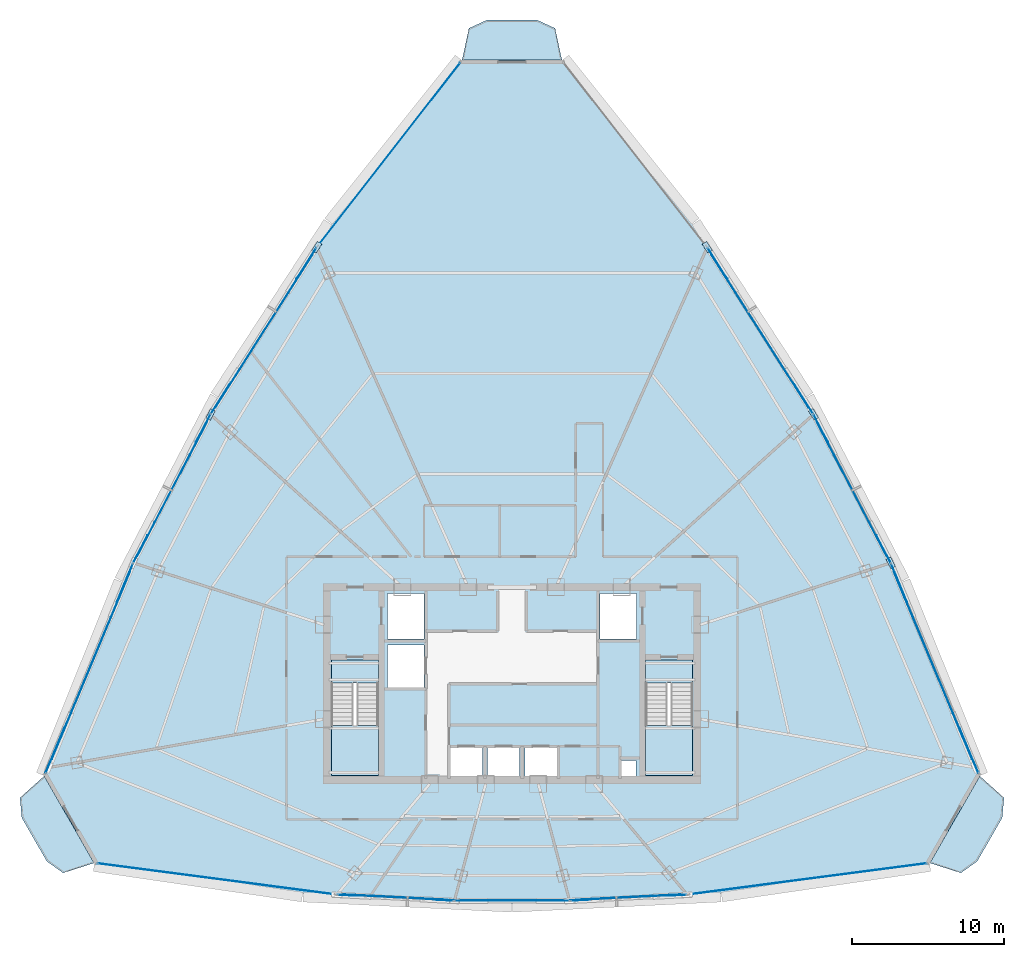
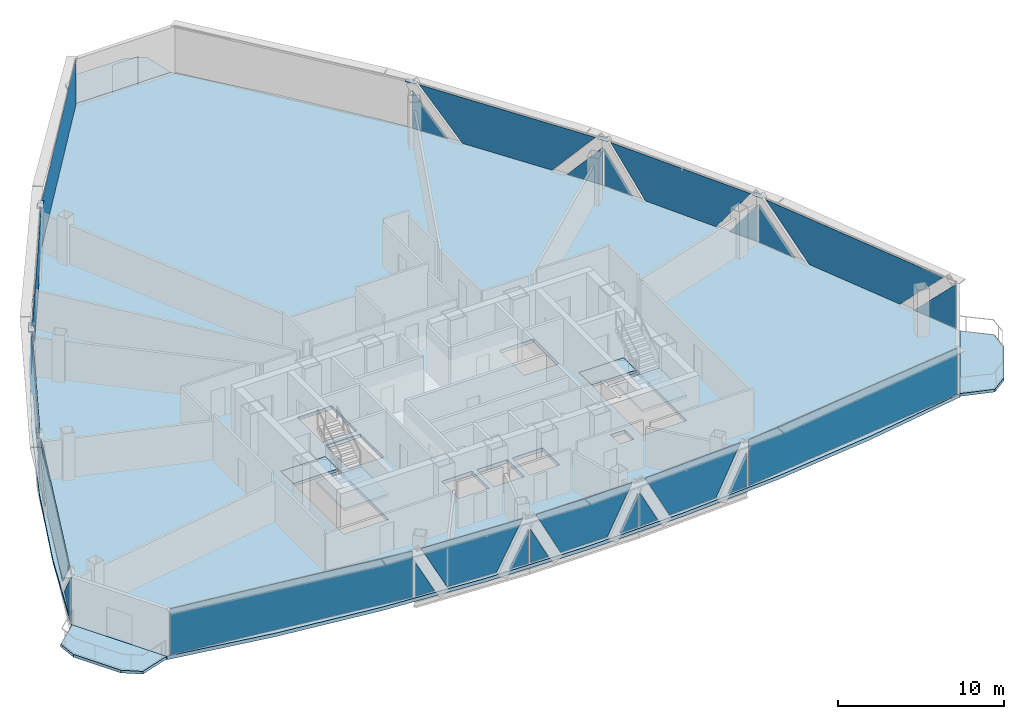
# One storey, part 28 of 35: 35 plates, 8 slabs, 14 elements without a shape of their own.
"""IFC4 building model written with IfcOpenShell, lengths in metres."""

from ifc_helpers import new_model, si_unit, direction, frame, origin, origin_2d, place, context, subcontext, project, spatial, polyline, rectangle, outline, extrude, source, transform, mapped, material, layer, layer_set, type_object, element, aggregate, save


model = new_model("IFC4")

# Units and contexts
model_context = context("Model", 3, precision=1e-05, world=origin(), true_north=direction((0.0, 1.0)))
body_context = subcontext(model_context, "Body", "Model", "MODEL_VIEW")
ifc_project = project(units=[si_unit("LENGTHUNIT", "METRE"), si_unit("AREAUNIT", "SQUARE_METRE"), si_unit("VOLUMEUNIT", "CUBIC_METRE"), si_unit("PLANEANGLEUNIT", "RADIAN"), si_unit("MASSUNIT", "GRAM", prefix="KILO"), si_unit("THERMODYNAMICTEMPERATUREUNIT", "KELVIN"), si_unit("POWERUNIT", "WATT")], contexts=[model_context])

# Site, building, storey
site_placement = place(None, origin())
site = spatial("IfcSite", under=ifc_project, at=site_placement, CompositionType="ELEMENT")
building_placement = place(site_placement, origin())
building = spatial("IfcBuilding", under=site, at=building_placement, Name="Yunzhuo Pagoda Commons", CompositionType="ELEMENT")
storey_placement = place(building_placement, frame((0.0, 0.0, 299.93994140625)))
storey = spatial("IfcBuildingStorey", under=building, at=storey_placement, Name="L75", CompositionType="ELEMENT", Elevation=299.93994140625)

# Curtain wall, plates
ifc_material_1 = material(Name="Anodized aluminium 6063-T6", Category="aluminium")
ifc_layer_1 = layer(ifc_material_1, 0.139892578125)
ifc_layer_set_1 = layer_set([ifc_layer_1], Name="Anodized aluminium 6063-T6")
curtain_wall_type = type_object("IfcCurtainWallType", Name="CW-HI High-Zone Ribbon Curtain Wall", PredefinedType="NOTDEFINED", material=ifc_layer_set_1)
curtain_wall_1_placement = place(storey_placement, origin())
curtain_wall_1 = element("IfcCurtainWall", 1, at=curtain_wall_1_placement, inside=storey, type_object=curtain_wall_type, Name="L75 curtain wall CW-L75-F1B2", PredefinedType="NOTDEFINED")
ifc_material_2 = material(Name="Tempered low-e double glazing", Category="glass")
ifc_layer_2 = layer(ifc_material_2, 0.02587890625)
ifc_layer_set_2 = layer_set([ifc_layer_2], Name="Tempered low-e double glazing")
plate_type_1 = type_object("IfcPlateType", Name="CW-HI-P Low-E Double Glazing 26", PredefinedType="CURTAIN_PANEL", material=ifc_layer_set_2)
plate_1_placement = place(storey_placement, frame((37.162109375, 19.923095703125, 1.29296875), z_axis=(-0.051461616076, -0.998674973187, 0.0), x_axis=(0.998674973187, -0.051461616076, 0.0)))
plate_1 = element("IfcPlate", 2, at=plate_1_placement, type_object=plate_type_1, Name="CW panel 1.1 lite 1", PredefinedType="CURTAIN_PANEL", context=body_context, shape_type="SweptSolid", body=[
    extrude(outline(polyline([(-0.643798828125, -1.238037109375), (0.643798828125, -1.238037109375), (-0.643798828125, 1.238037109375), (-0.643798828125, -1.238037109375)])), origin(), (0.0, 0.0, 1.0), 0.028076171875),
])
plate_2_placement = place(storey_placement, frame((40.335205078125, 19.78955078125, 1.735107421875), z_axis=(-0.051461616076, -0.998674973187, 0.0), x_axis=(0.998674973187, -0.051461616076, 0.0)))
plate_2 = element("IfcPlate", 3, at=plate_2_placement, type_object=plate_type_1, Name="CW panel 1.1 lite 2", PredefinedType="CURTAIN_PANEL", context=body_context, shape_type="SweptSolid", body=[
    extrude(outline(polyline([(-3.422607421875, 1.679931640625), (-1.67529296875, -1.679931640625), (1.67529296875, -1.679931640625), (3.422607421875, 1.679931640625), (-3.422607421875, 1.679931640625)])), origin(), (0.0, 0.0, 1.0), 0.028076171875),
])
plate_3_placement = place(storey_placement, frame((43.505126953125, 19.59619140625, 1.29296875), z_axis=(-0.051461616076, -0.998674973187, 0.0), x_axis=(0.998674973187, -0.051461616076, 0.0)))
plate_3 = element("IfcPlate", 4, at=plate_3_placement, type_object=plate_type_1, Name="CW panel 1.1 lite 3", PredefinedType="CURTAIN_PANEL", context=body_context, shape_type="SweptSolid", body=[
    extrude(outline(polyline([(-0.643798828125, -1.238037109375), (0.643798828125, -1.238037109375), (0.643798828125, 1.238037109375), (-0.643798828125, -1.238037109375)])), origin(), (0.0, 0.0, 1.0), 0.028076171875),
])
aggregate(curtain_wall_1, [plate_1, plate_2, plate_3])

curtain_wall_2_placement = place(storey_placement, origin())
curtain_wall_2 = element("IfcCurtainWall", 5, at=curtain_wall_2_placement, inside=storey, type_object=curtain_wall_type, Name="L75 curtain wall CW-L75-F1B3", PredefinedType="NOTDEFINED")
plate_4_placement = place(storey_placement, frame((44.892333984375, 19.56005859375, 1.2841796875), z_axis=(0.0, -1.0, 0.0), x_axis=(1.0, 0.0, 0.0)))
plate_4 = element("IfcPlate", 6, at=plate_4_placement, type_object=plate_type_1, Name="CW panel 1.1 lite 1", PredefinedType="CURTAIN_PANEL", context=body_context, shape_type="SweptSolid", body=[
    extrude(outline(polyline([(-0.625, -1.229248046875), (0.625, -1.229248046875), (-0.625, 1.229248046875), (-0.625, -1.229248046875)])), origin(), (0.0, 0.0, 1.0), 0.028076171875),
])
plate_5_placement = place(storey_placement, frame((48.0, 19.58984375, 1.735107421875), z_axis=(0.0, -1.0, 0.0), x_axis=(1.0, 0.0, 0.0)))
plate_5 = element("IfcPlate", 7, at=plate_5_placement, type_object=plate_type_1, Name="CW panel 1.1 lite 2", PredefinedType="CURTAIN_PANEL", context=body_context, shape_type="SweptSolid", body=[
    extrude(outline(polyline([(-3.33837890625, 1.679931640625), (-1.630126953125, -1.679931640625), (1.630126953125, -1.679931640625), (3.33837890625, 1.679931640625), (-3.33837890625, 1.679931640625)])), origin(), (0.0, 0.0, 1.0), 0.028076171875),
])
plate_6_placement = place(storey_placement, frame((51.107666015625, 19.56005859375, 1.2841796875), z_axis=(0.0, -1.0, 0.0), x_axis=(1.0, 0.0, 0.0)))
plate_6 = element("IfcPlate", 8, at=plate_6_placement, type_object=plate_type_1, Name="CW panel 1.1 lite 3", PredefinedType="CURTAIN_PANEL", context=body_context, shape_type="SweptSolid", body=[
    extrude(outline(polyline([(-0.625, -1.229248046875), (0.625, -1.229248046875), (0.625, 1.229248046875), (-0.625, -1.229248046875)])), origin(), (0.0, 0.0, 1.0), 0.028076171875),
])
aggregate(curtain_wall_2, [plate_4, plate_5, plate_6])

curtain_wall_3_placement = place(storey_placement, origin())
curtain_wall_3 = element("IfcCurtainWall", 9, at=curtain_wall_3_placement, inside=storey, type_object=curtain_wall_type, Name="L75 curtain wall CW-L75-F1B4", PredefinedType="NOTDEFINED")
plate_7_placement = place(storey_placement, frame((52.494873046875, 19.59619140625, 1.29296875), z_axis=(0.051461616076, -0.998674973187, 0.0), x_axis=(0.998674973187, 0.051461616076, 0.0)))
plate_7 = element("IfcPlate", 10, at=plate_7_placement, type_object=plate_type_1, Name="CW panel 1.1 lite 1", PredefinedType="CURTAIN_PANEL", context=body_context, shape_type="SweptSolid", body=[
    extrude(outline(polyline([(-0.643798828125, -1.238037109375), (0.643798828125, -1.238037109375), (-0.643798828125, 1.238037109375), (-0.643798828125, -1.238037109375)])), origin(), (0.0, 0.0, 1.0), 0.028076171875),
])
plate_8_placement = place(storey_placement, frame((55.664794921875, 19.78955078125, 1.735107421875), z_axis=(0.051461616076, -0.998674973187, 0.0), x_axis=(0.998674973187, 0.051461616076, 0.0)))
plate_8 = element("IfcPlate", 11, at=plate_8_placement, type_object=plate_type_1, Name="CW panel 1.1 lite 2", PredefinedType="CURTAIN_PANEL", context=body_context, shape_type="SweptSolid", body=[
    extrude(outline(polyline([(-3.422607421875, 1.679931640625), (-1.67529296875, -1.679931640625), (1.67529296875, -1.679931640625), (3.422607421875, 1.679931640625), (-3.422607421875, 1.679931640625)])), origin(), (0.0, 0.0, 1.0), 0.028076171875),
])
plate_9_placement = place(storey_placement, frame((58.837890625, 19.923095703125, 1.29296875), z_axis=(0.051461616076, -0.998674973187, 0.0), x_axis=(0.998674973187, 0.051461616076, 0.0)))
plate_9 = element("IfcPlate", 12, at=plate_9_placement, type_object=plate_type_1, Name="CW panel 1.1 lite 3", PredefinedType="CURTAIN_PANEL", context=body_context, shape_type="SweptSolid", body=[
    extrude(outline(polyline([(-0.643798828125, -1.238037109375), (0.643798828125, -1.238037109375), (0.643798828125, 1.238037109375), (-0.643798828125, -1.238037109375)])), origin(), (0.0, 0.0, 1.0), 0.028076171875),
])
aggregate(curtain_wall_3, [plate_7, plate_8, plate_9])

curtain_wall_4_placement = place(storey_placement, origin())
curtain_wall_4 = element("IfcCurtainWall", 13, at=curtain_wall_4_placement, inside=storey, type_object=curtain_wall_type, Name="L75 curtain wall CW-L75-F2B2", PredefinedType="NOTDEFINED")
plate_10_placement = place(storey_placement, frame((78.09375, 29.443603515625, 1.700439453125), z_axis=(0.922876210298, 0.385096741697, 0.0), x_axis=(-0.385096741697, 0.922876210298, 0.0)))
plate_10 = element("IfcPlate", 14, at=plate_10_placement, type_object=plate_type_1, Name="CW panel 1.1 lite 1", PredefinedType="CURTAIN_PANEL", context=body_context, shape_type="SweptSolid", body=[
    extrude(outline(polyline([(-1.60888671875, -1.645263671875), (1.60888671875, -1.645263671875), (-1.60888671875, 1.645263671875), (-1.60888671875, -1.645263671875)])), origin(), (0.0, 0.0, 1.0), 0.028076171875),
])
plate_11_placement = place(storey_placement, frame((75.718505859375, 35.0576171875, 1.735107421875), z_axis=(0.922876210298, 0.385096741697, 0.0), x_axis=(-0.385096741697, 0.922876210298, 0.0)))
plate_11 = element("IfcPlate", 15, at=plate_11_placement, type_object=plate_type_1, Name="CW panel 1.1 lite 2", PredefinedType="CURTAIN_PANEL", context=body_context, shape_type="SweptSolid", body=[
    extrude(outline(polyline([(-6.70947265625, 1.679931640625), (-3.423828125, -1.679931640625), (3.423828125, -1.679931640625), (6.70947265625, 1.679931640625), (-6.70947265625, 1.679931640625)])), origin(), (0.0, 0.0, 1.0), 0.028076171875),
])
plate_12_placement = place(storey_placement, frame((73.4892578125, 40.47802734375, 1.4599609375), z_axis=(0.922876210298, 0.385096741697, 0.0), x_axis=(-0.385096741697, 0.922876210298, 0.0)))
plate_12 = element("IfcPlate", 16, at=plate_12_placement, type_object=plate_type_1, Name="CW panel 1.1 lite 3", PredefinedType="CURTAIN_PANEL", context=body_context, shape_type="SweptSolid", body=[
    extrude(outline(polyline([(-1.373779296875, -1.405029296875), (1.373779296875, -1.405029296875), (1.373779296875, 1.405029296875), (-1.373779296875, -1.405029296875)])), origin(), (0.0, 0.0, 1.0), 0.028076171875),
])
aggregate(curtain_wall_4, [plate_10, plate_11, plate_12])

curtain_wall_5_placement = place(storey_placement, origin())
curtain_wall_5 = element("IfcCurtainWall", 17, at=curtain_wall_5_placement, inside=storey, type_object=curtain_wall_type, Name="L75 curtain wall CW-L75-F2B3", PredefinedType="NOTDEFINED")
plate_13_placement = place(storey_placement, frame((72.450439453125, 42.736328125, 1.40234375), z_axis=(0.887137465673, 0.461505272992, 0.0), x_axis=(-0.461505272992, 0.887137465673, 0.0)))
plate_13 = element("IfcPlate", 18, at=plate_13_placement, type_object=plate_type_1, Name="CW panel 1.1 lite 1", PredefinedType="CURTAIN_PANEL", context=body_context, shape_type="SweptSolid", body=[
    extrude(outline(polyline([(-0.9951171875, -1.34716796875), (0.9951171875, -1.34716796875), (-0.9951171875, 1.34716796875), (-0.9951171875, -1.34716796875)])), origin(), (0.0, 0.0, 1.0), 0.028076171875),
])
plate_14_placement = place(storey_placement, frame((70.367431640625, 46.67529296875, 1.735107421875), z_axis=(0.887137465673, 0.461505272992, 0.0), x_axis=(-0.461505272992, 0.887137465673, 0.0)))
plate_14 = element("IfcPlate", 19, at=plate_14_placement, type_object=plate_type_1, Name="CW panel 1.1 lite 2", PredefinedType="CURTAIN_PANEL", context=body_context, shape_type="SweptSolid", body=[
    extrude(outline(polyline([(-4.998046875, 1.679931640625), (-2.515869140625, -1.679931640625), (2.515869140625, -1.679931640625), (4.998046875, 1.679931640625), (-4.998046875, 1.679931640625)])), origin(), (0.0, 0.0, 1.0), 0.028076171875),
])
plate_15_placement = place(storey_placement, frame((68.337646484375, 50.64208984375, 1.40234375), z_axis=(0.887137465673, 0.461505272992, 0.0), x_axis=(-0.461505272992, 0.887137465673, 0.0)))
plate_15 = element("IfcPlate", 20, at=plate_15_placement, type_object=plate_type_1, Name="CW panel 1.1 lite 3", PredefinedType="CURTAIN_PANEL", context=body_context, shape_type="SweptSolid", body=[
    extrude(outline(polyline([(-0.9951171875, -1.34716796875), (0.9951171875, -1.34716796875), (0.9951171875, 1.34716796875), (-0.9951171875, -1.34716796875)])), origin(), (0.0, 0.0, 1.0), 0.028076171875),
])
aggregate(curtain_wall_5, [plate_13, plate_14, plate_15])

curtain_wall_6_placement = place(storey_placement, origin())
curtain_wall_6 = element("IfcCurtainWall", 21, at=curtain_wall_6_placement, inside=storey, type_object=curtain_wall_type, Name="L75 curtain wall CW-L75-F2B4", PredefinedType="NOTDEFINED")
plate_16_placement = place(storey_placement, frame((67.169677734375, 52.649658203125, 1.439453125), z_axis=(0.843909804597, 0.536485080599, 0.0), x_axis=(-0.536485080599, 0.843909804597, 0.0)))
plate_16 = element("IfcPlate", 22, at=plate_16_placement, type_object=plate_type_1, Name="CW panel 1.1 lite 1", PredefinedType="CURTAIN_PANEL", context=body_context, shape_type="SweptSolid", body=[
    extrude(outline(polyline([(-1.21044921875, -1.384521484375), (1.210693359375, -1.384521484375), (-1.21044921875, 1.384521484375), (-1.21044921875, -1.384521484375)])), origin(), (0.0, 0.0, 1.0), 0.028076171875),
])
plate_17_placement = place(storey_placement, frame((64.326416015625, 57.06591796875, 1.735107421875), z_axis=(0.843909804597, 0.536485080599, 0.0), x_axis=(-0.536485080599, 0.843909804597, 0.0)))
plate_17 = element("IfcPlate", 23, at=plate_17_placement, type_object=plate_type_1, Name="CW panel 1.1 lite 2", PredefinedType="CURTAIN_PANEL", context=body_context, shape_type="SweptSolid", body=[
    extrude(outline(polyline([(-5.969970703125, 1.679931640625), (-3.031982421875, -1.679931640625), (3.031982421875, -1.679931640625), (5.969970703125, 1.679931640625), (-5.969970703125, 1.679931640625)])), origin(), (0.0, 0.0, 1.0), 0.028076171875),
])
plate_18_placement = place(storey_placement, frame((61.5341796875, 61.51416015625, 1.439453125), z_axis=(0.843909804597, 0.536485080599, 0.0), x_axis=(-0.536485080599, 0.843909804597, 0.0)))
plate_18 = element("IfcPlate", 24, at=plate_18_placement, type_object=plate_type_1, Name="CW panel 1.1 lite 3", PredefinedType="CURTAIN_PANEL", context=body_context, shape_type="SweptSolid", body=[
    extrude(outline(polyline([(-1.210693359375, -1.384521484375), (1.21044921875, -1.384521484375), (1.21044921875, 1.384521484375), (-1.210693359375, -1.384521484375)])), origin(), (0.0, 0.0, 1.0), 0.028076171875),
])
aggregate(curtain_wall_6, [plate_16, plate_17, plate_18])

curtain_wall_7_placement = place(storey_placement, origin())
curtain_wall_7 = element("IfcCurtainWall", 25, at=curtain_wall_7_placement, inside=storey, type_object=curtain_wall_type, Name="L75 curtain wall CW-L75-F3B2", PredefinedType="NOTDEFINED")
plate_19_placement = place(storey_placement, frame((34.4658203125, 61.51416015625, 1.439453125), z_axis=(-0.843909804597, 0.536485080599, 0.0), x_axis=(-0.536485080599, -0.843909804597, 0.0)))
plate_19 = element("IfcPlate", 26, at=plate_19_placement, type_object=plate_type_1, Name="CW panel 1.1 lite 1", PredefinedType="CURTAIN_PANEL", context=body_context, shape_type="SweptSolid", body=[
    extrude(outline(polyline([(-1.21044921875, -1.384521484375), (1.210693359375, -1.384521484375), (-1.21044921875, 1.384521484375), (-1.21044921875, -1.384521484375)])), origin(), (0.0, 0.0, 1.0), 0.028076171875),
])
plate_20_placement = place(storey_placement, frame((31.673583984375, 57.06591796875, 1.735107421875), z_axis=(-0.843909804597, 0.536485080599, 0.0), x_axis=(-0.536485080599, -0.843909804597, 0.0)))
plate_20 = element("IfcPlate", 27, at=plate_20_placement, type_object=plate_type_1, Name="CW panel 1.1 lite 2", PredefinedType="CURTAIN_PANEL", context=body_context, shape_type="SweptSolid", body=[
    extrude(outline(polyline([(-5.969970703125, 1.679931640625), (-3.031982421875, -1.679931640625), (3.031982421875, -1.679931640625), (5.969970703125, 1.679931640625), (-5.969970703125, 1.679931640625)])), origin(), (0.0, 0.0, 1.0), 0.028076171875),
])
plate_21_placement = place(storey_placement, frame((28.830322265625, 52.649658203125, 1.439453125), z_axis=(-0.843909804597, 0.536485080599, 0.0), x_axis=(-0.536485080599, -0.843909804597, 0.0)))
plate_21 = element("IfcPlate", 28, at=plate_21_placement, type_object=plate_type_1, Name="CW panel 1.1 lite 3", PredefinedType="CURTAIN_PANEL", context=body_context, shape_type="SweptSolid", body=[
    extrude(outline(polyline([(-1.210693359375, -1.384521484375), (1.21044921875, -1.384521484375), (1.21044921875, 1.384521484375), (-1.210693359375, -1.384521484375)])), origin(), (0.0, 0.0, 1.0), 0.028076171875),
])
aggregate(curtain_wall_7, [plate_19, plate_20, plate_21])

curtain_wall_8_placement = place(storey_placement, origin())
curtain_wall_8 = element("IfcCurtainWall", 29, at=curtain_wall_8_placement, inside=storey, type_object=curtain_wall_type, Name="L75 curtain wall CW-L75-F3B3", PredefinedType="NOTDEFINED")
plate_22_placement = place(storey_placement, frame((27.662353515625, 50.64208984375, 1.40234375), z_axis=(-0.887137465673, 0.461505272992, 0.0), x_axis=(-0.461505272992, -0.887137465673, 0.0)))
plate_22 = element("IfcPlate", 30, at=plate_22_placement, type_object=plate_type_1, Name="CW panel 1.1 lite 1", PredefinedType="CURTAIN_PANEL", context=body_context, shape_type="SweptSolid", body=[
    extrude(outline(polyline([(-0.9951171875, -1.34716796875), (0.9951171875, -1.34716796875), (-0.9951171875, 1.34716796875), (-0.9951171875, -1.34716796875)])), origin(), (0.0, 0.0, 1.0), 0.028076171875),
])
plate_23_placement = place(storey_placement, frame((25.632568359375, 46.67529296875, 1.735107421875), z_axis=(-0.887137465673, 0.461505272992, 0.0), x_axis=(-0.461505272992, -0.887137465673, 0.0)))
plate_23 = element("IfcPlate", 31, at=plate_23_placement, type_object=plate_type_1, Name="CW panel 1.1 lite 2", PredefinedType="CURTAIN_PANEL", context=body_context, shape_type="SweptSolid", body=[
    extrude(outline(polyline([(-4.998046875, 1.679931640625), (-2.515869140625, -1.679931640625), (2.515869140625, -1.679931640625), (4.998046875, 1.679931640625), (-4.998046875, 1.679931640625)])), origin(), (0.0, 0.0, 1.0), 0.028076171875),
])
plate_24_placement = place(storey_placement, frame((23.549560546875, 42.736328125, 1.40234375), z_axis=(-0.887137465673, 0.461505272992, 0.0), x_axis=(-0.461505272992, -0.887137465673, 0.0)))
plate_24 = element("IfcPlate", 32, at=plate_24_placement, type_object=plate_type_1, Name="CW panel 1.1 lite 3", PredefinedType="CURTAIN_PANEL", context=body_context, shape_type="SweptSolid", body=[
    extrude(outline(polyline([(-0.9951171875, -1.34716796875), (0.9951171875, -1.34716796875), (0.9951171875, 1.34716796875), (-0.9951171875, -1.34716796875)])), origin(), (0.0, 0.0, 1.0), 0.028076171875),
])
aggregate(curtain_wall_8, [plate_22, plate_23, plate_24])

curtain_wall_9_placement = place(storey_placement, origin())
curtain_wall_9 = element("IfcCurtainWall", 33, at=curtain_wall_9_placement, inside=storey, type_object=curtain_wall_type, Name="L75 curtain wall CW-L75-F3B4", PredefinedType="NOTDEFINED")
plate_25_placement = place(storey_placement, frame((22.5107421875, 40.47802734375, 1.4599609375), z_axis=(-0.922876210298, 0.385096741697, 0.0), x_axis=(-0.385096741697, -0.922876210298, 0.0)))
plate_25 = element("IfcPlate", 34, at=plate_25_placement, type_object=plate_type_1, Name="CW panel 1.1 lite 1", PredefinedType="CURTAIN_PANEL", context=body_context, shape_type="SweptSolid", body=[
    extrude(outline(polyline([(-1.373779296875, -1.405029296875), (1.373779296875, -1.405029296875), (-1.373779296875, 1.405029296875), (-1.373779296875, -1.405029296875)])), origin(), (0.0, 0.0, 1.0), 0.028076171875),
])
plate_26_placement = place(storey_placement, frame((20.281494140625, 35.0576171875, 1.735107421875), z_axis=(-0.922876210298, 0.385096741697, 0.0), x_axis=(-0.385096741697, -0.922876210298, 0.0)))
plate_26 = element("IfcPlate", 35, at=plate_26_placement, type_object=plate_type_1, Name="CW panel 1.1 lite 2", PredefinedType="CURTAIN_PANEL", context=body_context, shape_type="SweptSolid", body=[
    extrude(outline(polyline([(-6.70947265625, 1.679931640625), (-3.423828125, -1.679931640625), (3.423828125, -1.679931640625), (6.70947265625, 1.679931640625), (-6.70947265625, 1.679931640625)])), origin(), (0.0, 0.0, 1.0), 0.028076171875),
])
plate_27_placement = place(storey_placement, frame((17.90625, 29.443603515625, 1.700439453125), z_axis=(-0.922876210298, 0.385096741697, 0.0), x_axis=(-0.385096741697, -0.922876210298, 0.0)))
plate_27 = element("IfcPlate", 36, at=plate_27_placement, type_object=plate_type_1, Name="CW panel 1.1 lite 3", PredefinedType="CURTAIN_PANEL", context=body_context, shape_type="SweptSolid", body=[
    extrude(outline(polyline([(-1.60888671875, -1.645263671875), (1.60888671875, -1.645263671875), (1.60888671875, 1.645263671875), (-1.60888671875, -1.645263671875)])), origin(), (0.0, 0.0, 1.0), 0.028076171875),
])
aggregate(curtain_wall_9, [plate_25, plate_26, plate_27])

# Slabs
ifc_material_3 = material(Name="Concrete C40", Category="concrete")
ifc_layer_3 = layer(ifc_material_3, 0.199951171875)
ifc_layer_set_3 = layer_set([ifc_layer_3], Name="Concrete C40")
slab_type_1 = type_object("IfcSlabType", Name="SL-BAL Vertex Balcony Deck Slab 200", PredefinedType="FLOOR", material=ifc_layer_set_3)
slab_1_placement = place(storey_placement, frame((0.0, 0.0, -0.199951171875)))
element("IfcSlab", 37, at=slab_1_placement, inside=storey, type_object=slab_type_1, Name="L75 corner balcony V1", PredefinedType="FLOOR", context=body_context, shape_type="SweptSolid", body=[
    extrude(outline(polyline([(17.180908203125, 27.75927734375), (20.468994140625, 22.032958984375), (18.427978515625, 21.380126953125), (17.35302734375, 22.1474609375), (15.709228515625, 25.010498046875), (15.588134765625, 26.32568359375), (17.180908203125, 27.75927734375)])), origin(), (0.0, 0.0, 1.0), 0.199951171875),
])
slab_2_placement = place(storey_placement, frame((0.0, 0.0, -0.199951171875)))
element("IfcSlab", 38, at=slab_2_placement, inside=storey, type_object=slab_type_1, Name="L75 corner balcony V2", PredefinedType="FLOOR", context=body_context, shape_type="SweptSolid", body=[
    extrude(outline(polyline([(75.531005859375, 22.032958984375), (78.819091796875, 27.75927734375), (80.411865234375, 26.32568359375), (80.290771484375, 25.010498046875), (78.64697265625, 22.1474609375), (77.572021484375, 21.380126953125), (75.531005859375, 22.032958984375)])), origin(), (0.0, 0.0, 1.0), 0.199951171875),
])
slab_3_placement = place(storey_placement, frame((0.0, 0.0, -0.199951171875)))
element("IfcSlab", 39, at=slab_3_placement, inside=storey, type_object=slab_type_1, Name="L75 corner balcony V3", PredefinedType="FLOOR", context=body_context, shape_type="SweptSolid", body=[
    extrude(outline(polyline([(51.287841796875, 74.923095703125), (44.712158203125, 74.923095703125), (45.162109375, 77.01806640625), (46.356201171875, 77.568115234375), (49.643798828125, 77.568115234375), (50.837890625, 77.01806640625), (51.287841796875, 74.923095703125)])), origin(), (0.0, 0.0, 1.0), 0.199951171875),
])

# Stair, slabs
stair_type_1 = type_object("IfcStairType", Name="ST-C1 Core Smokeproof Stair ST1", PredefinedType="HALF_TURN_STAIR", material=ifc_material_3)
stair_1_placement = place(storey_placement, origin())
stair_1 = element("IfcStair", 40, at=stair_1_placement, inside=storey, type_object=stair_type_1, Name="L75 Core smokeproof stair ST1", PredefinedType="HALF_TURN_STAIR")
ifc_layer_4 = layer(ifc_material_3, 0.199951171875)
ifc_layer_set_4 = layer_set([ifc_layer_4], Name="Concrete C40")
slab_type_2 = type_object("IfcSlabType", Name="SL-LND1 Stair Landing Slab 200", PredefinedType="LANDING", material=ifc_layer_set_4)
slab_4_placement = place(storey_placement, frame((0.0, 0.0, 1.6650390625)))
slab_4 = element("IfcSlab", 41, at=slab_4_placement, type_object=slab_type_2, Name="ST1 landing 1", PredefinedType="LANDING", context=body_context, shape_type="SweptSolid", body=[
    extrude(outline(polyline([(36.10009765625, 31.10009765625), (36.10009765625, 27.800048828125), (39.199951171875, 27.800048828125), (39.199951171875, 31.10009765625), (36.10009765625, 31.10009765625)])), origin(), (0.0, 0.0, 1.0), 0.199951171875),
])
slab_5_placement = place(storey_placement, frame((0.0, 0.0, -0.199951171875)))
slab_5 = element("IfcSlab", 42, at=slab_5_placement, type_object=slab_type_2, Name="ST1 floor landing L75", PredefinedType="LANDING", context=body_context, shape_type="SweptSolid", body=[
    extrude(outline(polyline([(36.10009765625, 35.39990234375), (36.10009765625, 33.89990234375), (39.199951171875, 33.89990234375), (39.199951171875, 35.39990234375), (36.10009765625, 35.39990234375)])), origin(), (0.0, 0.0, 1.0), 0.199951171875),
])
aggregate(stair_1, [slab_4, slab_5])

stair_type_2 = type_object("IfcStairType", Name="ST-C2 Core Smokeproof Stair ST2", PredefinedType="HALF_TURN_STAIR", material=ifc_material_3)
stair_2_placement = place(storey_placement, origin())
stair_2 = element("IfcStair", 43, at=stair_2_placement, inside=storey, type_object=stair_type_2, Name="L75 Core smokeproof stair ST2", PredefinedType="HALF_TURN_STAIR")
ifc_layer_5 = layer(ifc_material_3, 0.201904296875)
ifc_layer_set_5 = layer_set([ifc_layer_5], Name="Concrete C40")
slab_type_3 = type_object("IfcSlabType", Name="SL-LND2 Stair Landing Slab 202", PredefinedType="LANDING", material=ifc_layer_set_5)
slab_6_placement = place(storey_placement, frame((0.0, 0.0, 1.6650390625)))
slab_6 = element("IfcSlab", 44, at=slab_6_placement, type_object=slab_type_3, Name="ST2 landing 1", PredefinedType="LANDING", context=body_context, shape_type="SweptSolid", body=[
    extrude(outline(polyline([(56.800048828125, 31.10009765625), (56.800048828125, 27.800048828125), (59.89990234375, 27.800048828125), (59.89990234375, 31.10009765625), (56.800048828125, 31.10009765625)])), origin(), (0.0, 0.0, 1.0), 0.199951171875),
])
slab_7_placement = place(storey_placement, frame((0.0, 0.0, -0.199951171875)))
slab_7 = element("IfcSlab", 45, at=slab_7_placement, type_object=slab_type_3, Name="ST2 floor landing L75", PredefinedType="LANDING", context=body_context, shape_type="SweptSolid", body=[
    extrude(outline(polyline([(56.800048828125, 35.39990234375), (56.800048828125, 33.89990234375), (59.89990234375, 33.89990234375), (59.89990234375, 35.39990234375), (56.800048828125, 35.39990234375)])), origin(), (0.0, 0.0, 1.0), 0.199951171875),
])
aggregate(stair_2, [slab_6, slab_7])

# Slab
ifc_layer_6 = layer(ifc_material_3, 0.260009765625)
ifc_layer_set_6 = layer_set([ifc_layer_6], Name="Concrete C40")
slab_type_4 = type_object("IfcSlabType", Name="SL-TWR Typical Tower Floor Slab 260", PredefinedType="FLOOR", material=ifc_layer_set_6)
slab_8_placement = place(storey_placement, frame((0.0, 0.0, -0.260009765625)))
element("IfcSlab", 46, at=slab_8_placement, inside=storey, type_object=slab_type_4, Name="L75 structural floor slab", PredefinedType="FLOOR", context=body_context, shape_type="SweptSolid", body=[
    extrude(outline(polyline([(19.614013671875, 34.2470703125), (22.331787109375, 40.563720703125), (25.3388671875, 46.71142578125), (28.635009765625, 52.6904296875), (32.220703125, 58.50048828125), (36.09521484375, 64.141845703125), (40.259033203125, 69.614501953125), (44.712158203125, 74.918212890625), (51.287841796875, 74.918212890625), (55.740966796875, 69.614501953125), (59.90478515625, 64.141845703125), (63.779296875, 58.50048828125), (67.364990234375, 52.6904296875), (70.6611328125, 46.71142578125), (73.668212890625, 40.563720703125), (76.385986328125, 34.2470703125), (78.814697265625, 27.76171875), (75.52685546875, 22.035400390625), (68.64501953125, 20.86328125), (61.763427734375, 20.026123046875), (54.881591796875, 19.52392578125), (48.0, 19.3564453125), (41.118408203125, 19.52392578125), (34.236572265625, 20.026123046875), (27.35498046875, 20.86328125), (20.47314453125, 22.035400390625), (17.185302734375, 27.76171875), (19.614013671875, 34.2470703125)]), holes=[polyline([(56.179931640625, 28.800048828125), (55.179931640625, 28.800048828125), (55.179931640625, 27.699951171875), (56.179931640625, 27.699951171875), (56.179931640625, 28.800048828125)]), polyline([(46.050048828125, 29.64990234375), (43.949951171875, 29.64990234375), (43.949951171875, 27.60009765625), (46.050048828125, 27.60009765625), (46.050048828125, 29.64990234375)]), polyline([(48.5, 29.64990234375), (46.39990234375, 29.64990234375), (46.39990234375, 27.60009765625), (48.5, 27.60009765625), (48.5, 29.64990234375)]), polyline([(50.949951171875, 29.64990234375), (48.85009765625, 29.64990234375), (48.85009765625, 27.60009765625), (50.949951171875, 27.60009765625), (50.949951171875, 29.64990234375)]), polyline([(39.199951171875, 27.800048828125), (39.199951171875, 35.39990234375), (36.10009765625, 35.39990234375), (36.10009765625, 27.800048828125), (39.199951171875, 27.800048828125)]), polyline([(59.89990234375, 27.800048828125), (59.89990234375, 35.39990234375), (56.800048828125, 35.39990234375), (56.800048828125, 27.800048828125), (59.89990234375, 27.800048828125)]), polyline([(42.199951171875, 36.39990234375), (39.800048828125, 36.39990234375), (39.800048828125, 33.60009765625), (42.199951171875, 33.60009765625), (42.199951171875, 36.39990234375)]), polyline([(42.199951171875, 36.800048828125), (42.199951171875, 39.800048828125), (39.800048828125, 39.800048828125), (39.800048828125, 36.800048828125), (42.199951171875, 36.800048828125)]), polyline([(56.199951171875, 36.800048828125), (56.199951171875, 39.800048828125), (53.800048828125, 39.800048828125), (53.800048828125, 36.800048828125), (56.199951171875, 36.800048828125)])]), origin(), (0.0, 0.0, 1.0), 0.260009765625),
])

# Plates
ifc_material_4 = material(Name="Structural steel Q355B", Category="steel")
ifc_layer_7 = layer(ifc_material_4, 0.028076171875)
ifc_layer_set_7 = layer_set([ifc_layer_7], Name="Structural steel Q355B")
plate_type_2 = type_object("IfcPlateType", Name="SP-ND1 Lattice Node Cap Plate 800x500x28", PredefinedType="USERDEFINED", material=ifc_layer_set_7)
shared_shape_1 = source(origin(), body_context, "Body", "SweptSolid", [
    extrude(rectangle(XDim=0.699951171875, YDim=0.35009765625, at=origin_2d()), origin(), (0.0, 0.0, 1.0), 0.035888671875),
])
for number, where, z_axis, x_axis, name in (
    (47, (72.949951171875, 41.806640625, 3.43212890625), (0.0, 0.0, 1.0), (-0.461500895082, 0.887139743129, 0.0), "L75 setback lattice tie plate F2.2L"),
    (48, (67.86328125, 51.5849609375, 3.43212890625), (0.0, 0.0, 1.0), (-0.53648976325, 0.843906827753, 0.0), "L75 setback lattice tie plate F2.3L"),
    (49, (60.864501953125, 62.593994140625, 3.43212890625), (0.0, 0.0, 1.0), (-0.53648976325, 0.843906827753, 0.0), "L75 setback lattice tie plate F2.3R"),
    (50, (35.135498046875, 62.593994140625, 3.43212890625), (0.0, 0.0, 1.0), (-0.53648976325, -0.843906827753, 0.0), "L75 setback lattice tie plate F3.1L"),
    (51, (28.13671875, 51.5849609375, 3.43212890625), (0.0, 0.0, 1.0), (-0.461500895082, -0.887139743129, 0.0), "L75 setback lattice tie plate F3.2L"),
):
    element("IfcPlate", number, at=place(storey_placement, frame(where, z_axis=z_axis, x_axis=x_axis)), inside=storey, type_object=plate_type_2, Name=name, ObjectType="STIFFENER_PLATE", PredefinedType="USERDEFINED", context=body_context, shape_type="MappedRepresentation", body=[
        mapped(shared_shape_1, transform((0.0, 0.0, 0.0), scale=1.0)),
    ])

# Curtain wall, plate
curtain_wall_10_placement = place(storey_placement, origin())
curtain_wall_10 = element("IfcCurtainWall", 52, at=curtain_wall_10_placement, inside=storey, type_object=curtain_wall_type, Name="L75 curtain wall CW-L75-F1B1", PredefinedType="NOTDEFINED")
shared_shape_2 = source(origin(), body_context, "Body", "SweptSolid", [
    extrude(rectangle(XDim=15.765380859375, YDim=0.028076171875, at=origin_2d()), origin(), (0.0, 0.0, 1.0), 3.360107421875),
])
plate_28_placement = place(storey_placement, frame((28.508544921875, 20.986328125, 0.05517578125), z_axis=(0.0, 0.0, 1.0), x_axis=(0.991532985066, -0.129855071238, 0.0)))
plate_28 = element("IfcPlate", 53, at=plate_28_placement, type_object=plate_type_1, Name="CW panel 1.1", PredefinedType="CURTAIN_PANEL", context=body_context, shape_type="MappedRepresentation", body=[
    mapped(shared_shape_2, transform((0.0, 0.0, 0.0), scale=1.0)),
])
aggregate(curtain_wall_10, [plate_28])

curtain_wall_11_placement = place(storey_placement, origin())
curtain_wall_11 = element("IfcCurtainWall", 54, at=curtain_wall_11_placement, inside=storey, type_object=curtain_wall_type, Name="L75 curtain wall CW-L75-F1B5", PredefinedType="NOTDEFINED")
plate_29_placement = place(storey_placement, frame((67.491455078125, 20.986328125, 0.05517578125), z_axis=(0.0, 0.0, 1.0), x_axis=(0.991532985066, 0.129855071238, 0.0)))
plate_29 = element("IfcPlate", 55, at=plate_29_placement, type_object=plate_type_1, Name="CW panel 1.1", PredefinedType="CURTAIN_PANEL", context=body_context, shape_type="MappedRepresentation", body=[
    mapped(shared_shape_2, transform((0.0, 0.0, 0.0), scale=1.0)),
])
aggregate(curtain_wall_11, [plate_29])

curtain_wall_12_placement = place(storey_placement, origin())
curtain_wall_12 = element("IfcCurtainWall", 56, at=curtain_wall_12_placement, inside=storey, type_object=curtain_wall_type, Name="L75 curtain wall CW-L75-F3B1", PredefinedType="NOTDEFINED")
shared_shape_3 = source(origin(), body_context, "Body", "SweptSolid", [
    extrude(rectangle(XDim=15.251708984375, YDim=0.028076171875, at=origin_2d()), origin(), (0.0, 0.0, 1.0), 3.360107421875),
])
plate_30_placement = place(storey_placement, frame((39.8994140625, 68.720703125, 0.05517578125), z_axis=(0.0, 0.0, 1.0), x_axis=(-0.613840173517, -0.78943032712, 0.0)))
plate_30 = element("IfcPlate", 57, at=plate_30_placement, type_object=plate_type_1, Name="CW panel 1.1", PredefinedType="CURTAIN_PANEL", context=body_context, shape_type="MappedRepresentation", body=[
    mapped(shared_shape_3, transform((0.0, 0.0, 0.0), scale=1.0)),
])
aggregate(curtain_wall_12, [plate_30])

save(model, "model.ifc")
